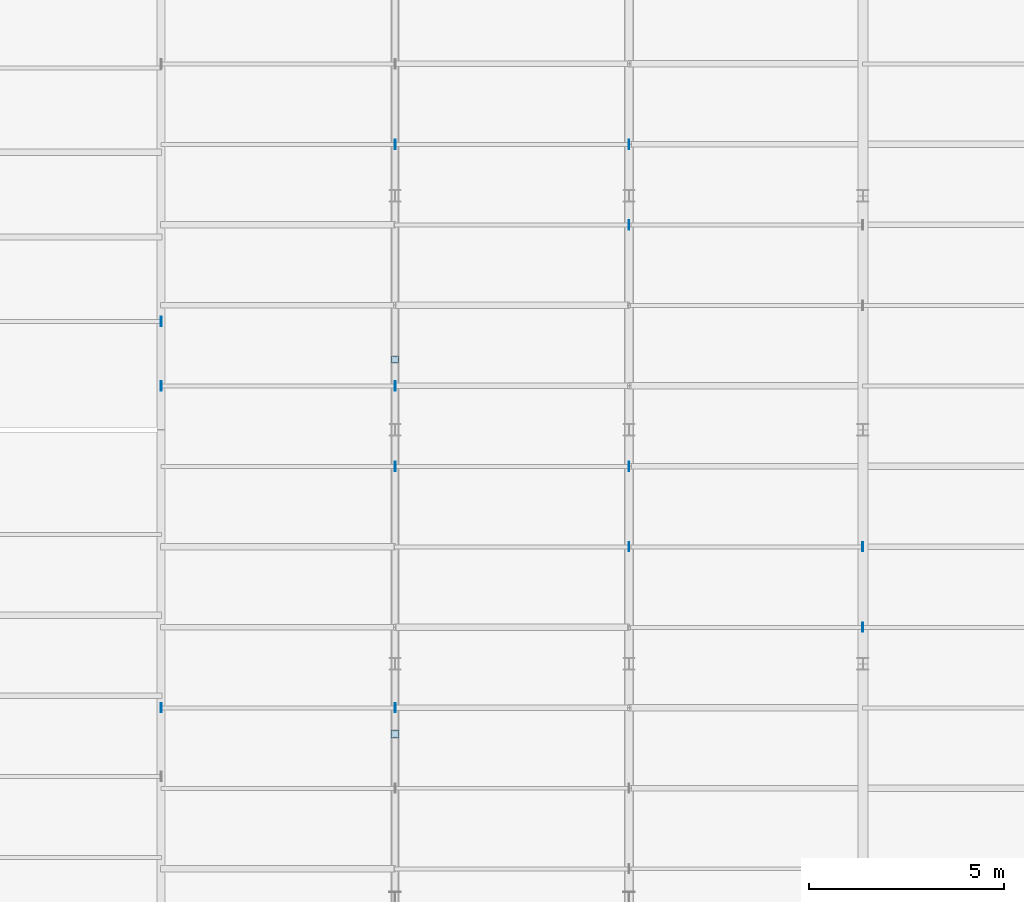
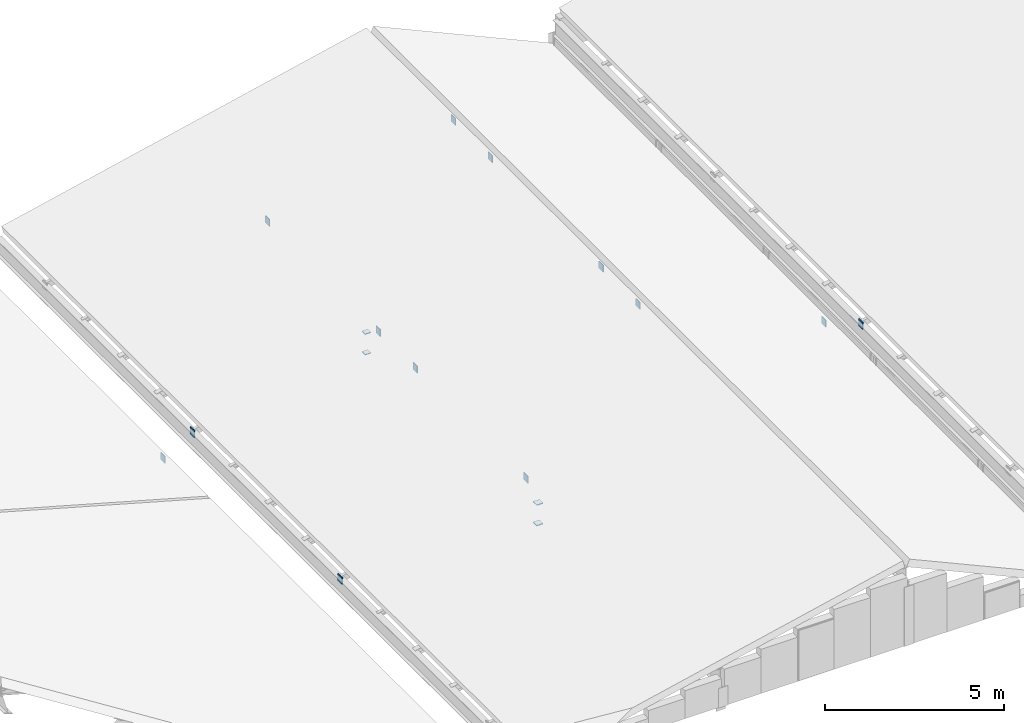
# One storey, part 52 of 74: 17 plates.
"""IFC4 building model written with IfcOpenShell, lengths in metres."""

import ifcopenshell
import ifcopenshell.guid

model = None  # the IFC model being written
_history = None  # IfcOwnerHistory: only IFC2X3 demands one
_inside = {}  # id of a spatial element -> (the spatial element, [elements in it])
_under = {}  # id of a project, library or spatial element -> (it, [spatial elements below it])
_declared = {}  # id of a project -> (the project, [libraries it declares])
_typed = {}  # id of a type object -> (the type object, [elements of that type])
_made_of = {}  # id of a material, layer set ... -> (it, [elements and type objects made of it])


def new_model(schema):
    """Start an empty IFC model of exactly this schema.

    Asked for "IFC4X3", IfcOpenShell would pick the latest addendum, in which some entities
    have other attributes; the version numbers below select the first issue.
    IFC2X3 requires an IfcOwnerHistory on every rooted entity: one is made here for all.
    """
    global model, _history
    if schema == "IFC4X3":
        model = ifcopenshell.file(schema_version=(4, 3, 0, 0))
    else:
        model = ifcopenshell.file(schema=schema)
    _inside.clear()
    _under.clear()
    _declared.clear()
    _typed.clear()
    _made_of.clear()
    _history = None
    if model.schema == "IFC2X3":
        org = make("IfcOrganization", Name="unknown")
        user = make(
            "IfcPersonAndOrganization",
            ThePerson=make("IfcPerson", FamilyName="unknown"),
            TheOrganization=org,
        )
        app = make(
            "IfcApplication",
            ApplicationDeveloper=org,
            Version="unknown",
            ApplicationFullName="unknown",
            ApplicationIdentifier="unknown",
        )
        _history = make(
            "IfcOwnerHistory",
            OwningUser=user,
            OwningApplication=app,
            ChangeAction="ADDED",
            CreationDate=0,
        )
    return model


def make(cls, **values):
    """One entity of the class cls with the attributes given. An attribute that is None is left unset."""
    return model.create_entity(
        cls, **{name: value for name, value in values.items() if value is not None}
    )


def rooted(cls, **values):
    """An entity with a GlobalId (a new one), such as an element, a storey or a relation."""
    return make(cls, GlobalId=ifcopenshell.guid.new(), OwnerHistory=_history, **values)


def si_unit(unit_type, name, prefix=None):
    """IfcSIUnit, for example si_unit("LENGTHUNIT", "METRE", prefix="MILLI")."""
    return make("IfcSIUnit", UnitType=unit_type, Prefix=prefix, Name=name)


def assignment(units):
    """IfcUnitAssignment: the units of a project."""
    return None if units is None else make("IfcUnitAssignment", Units=units)


def point(xyz):
    """IfcCartesianPoint."""
    return None if xyz is None else make("IfcCartesianPoint", Coordinates=xyz)


def direction(xyz):
    """IfcDirection."""
    return None if xyz is None else make("IfcDirection", DirectionRatios=xyz)


def frame(location, z_axis=None, x_axis=None):
    """IfcAxis2Placement3D, a coordinate frame: its origin and axes. An axis left out is left unset."""
    return make(
        "IfcAxis2Placement3D",
        Location=point(location),
        Axis=direction(z_axis),
        RefDirection=direction(x_axis),
    )


def frame_2d(location, x_axis=None):
    """IfcAxis2Placement2D, a coordinate frame in the plane: its origin and x axis."""
    return make(
        "IfcAxis2Placement2D", Location=point(location), RefDirection=direction(x_axis)
    )


def origin():
    """The frame at (0, 0, 0) with its axes left unset."""
    return frame((0.0, 0.0, 0.0))


def origin_2d():
    """The frame at (0, 0) in the plane with its x axis left unset."""
    return frame_2d((0.0, 0.0))


def place(relative_to, where):
    """IfcLocalPlacement: puts the frame where relative to a parent placement (None: the world)."""
    return make(
        "IfcLocalPlacement", PlacementRelTo=relative_to, RelativePlacement=where
    )


def context(
    kind, dimensions, precision=None, world=None, true_north=None, identifier=None
):
    """IfcGeometricRepresentationContext, for example the 3D "Model" context."""
    return make(
        "IfcGeometricRepresentationContext",
        ContextIdentifier=identifier,
        ContextType=kind,
        CoordinateSpaceDimension=dimensions,
        Precision=precision,
        WorldCoordinateSystem=world,
        TrueNorth=true_north,
    )


def subcontext(parent, identifier, kind, view, scale=None):
    """IfcGeometricRepresentationSubContext, for example "Body" below "Model"."""
    return make(
        "IfcGeometricRepresentationSubContext",
        ContextIdentifier=identifier,
        ContextType=kind,
        ParentContext=parent,
        TargetScale=scale,
        TargetView=view,
    )


def project(units=None, contexts=None):
    """IfcProject with its units and contexts."""
    return rooted(
        "IfcProject",
        Name="project",
        RepresentationContexts=contexts,
        UnitsInContext=assignment(units),
    )


def spatial(cls, under=None, at=None, **own):
    """A site, building, storey or space (cls), placed at a placement, below another one or the project."""
    s = rooted(cls, ObjectPlacement=at, **own)
    if under is not None:
        _under.setdefault(under.id(), (under, []))[1].append(s)
    return s


def profile(cls, at=None, kind="AREA", **sizes):
    """A parametric profile (cls). Its sizes go by their IFC names, for example OverallWidth=200.0."""
    return make(cls, ProfileType=kind, Position=at, **sizes)


def rectangle(**sizes):
    """IfcRectangleProfileDef."""
    return profile("IfcRectangleProfileDef", **sizes)


def extrude(swept, where, along, depth):
    """IfcExtrudedAreaSolid: the profile swept, set in the frame where, extruded along a direction by depth."""
    return make(
        "IfcExtrudedAreaSolid",
        SweptArea=swept,
        Position=where,
        ExtrudedDirection=direction(along),
        Depth=depth,
    )


def shape(context_of_items, identifier, shape_type, items):
    """IfcShapeRepresentation: the items that make up one representation, for example the "Body"."""
    return make(
        "IfcShapeRepresentation",
        ContextOfItems=context_of_items,
        RepresentationIdentifier=identifier,
        RepresentationType=shape_type,
        Items=items,
    )


def material(Name=None, Category=None):
    """IfcMaterial."""
    return make("IfcMaterial", Name=Name, Category=Category)


def layer(
    of_material, thickness, ventilated=None, Name=None, Category=None, Priority=None
):
    """IfcMaterialLayer: one layer of a wall or slab, of a material (None: an air gap)."""
    return make(
        "IfcMaterialLayer",
        Material=of_material,
        LayerThickness=thickness,
        IsVentilated=ventilated,
        Name=Name,
        Category=Category,
        Priority=Priority,
    )


def layer_set(layers, Name=None):
    """IfcMaterialLayerSet."""
    return make("IfcMaterialLayerSet", MaterialLayers=layers, LayerSetName=Name)


def made_of(thing, what):
    """Note that an element or type object is made of a material, layer set ...; save() writes the relation."""
    if what is not None:
        _made_of.setdefault(what.id(), (what, []))[1].append(thing)
    return thing


def type_object(cls, material=None, **own):
    """A type object (cls), such as IfcWallType, which elements share."""
    return made_of(rooted(cls, **own), material)


def element(
    cls,
    number,
    at=None,
    inside=None,
    cuts=None,
    type_object=None,
    material=None,
    context=None,
    identifier="Body",
    shape_type=None,
    held_by="IfcProductDefinitionShape",
    body=None,
    shapes=None,
    **own,
):
    """One element of the class cls, such as IfcWall. Its Tag is "e" and its number.

    at: its placement. inside: the storey or other place that contains it. cuts: it is an
    opening in that element (IfcRelVoidsElement). A single representation is given by context,
    identifier, shape_type and body (its items); several are given by shapes. held_by: the class
    of the entity that holds the representations. save() writes the other relations.
    """
    e = rooted(cls, Tag="e%d" % number, ObjectPlacement=at, **own)
    if body is not None:
        shapes = [shape(context, identifier, shape_type, body)]
    if shapes is not None:
        e.Representation = make(held_by, Representations=shapes)
    if inside is not None:
        _inside.setdefault(inside.id(), (inside, []))[1].append(e)
    if cuts is not None:
        rooted(
            "IfcRelVoidsElement", RelatingBuildingElement=cuts, RelatedOpeningElement=e
        )
    if type_object is not None:
        _typed.setdefault(type_object.id(), (type_object, []))[1].append(e)
    return made_of(e, material)


def aggregate(whole, parts):
    """IfcRelAggregates: a whole, such as a stair, and the parts it consists of."""
    return rooted("IfcRelAggregates", RelatingObject=whole, RelatedObjects=parts)


def save(model, path):
    """Write the relations noted so far, then the file.

    IfcRelAggregates (storeys below a building ...), IfcRelContainedInSpatialStructure (elements
    in a storey), IfcRelDefinesByType, IfcRelAssociatesMaterial and IfcRelDeclares: one each for
    every whole, place, type object, material and project.
    """
    for whole, parts in _under.values():
        aggregate(whole, parts)
    for where, things in _inside.values():
        rooted(
            "IfcRelContainedInSpatialStructure",
            RelatedElements=things,
            RelatingStructure=where,
        )
    for kind, things in _typed.values():
        rooted("IfcRelDefinesByType", RelatedObjects=things, RelatingType=kind)
    for what, things in _made_of.values():
        rooted("IfcRelAssociatesMaterial", RelatedObjects=things, RelatingMaterial=what)
    for by, libraries in _declared.values():
        rooted("IfcRelDeclares", RelatingContext=by, RelatedDefinitions=libraries)
    model.write(path)


model = new_model("IFC4")

# Units and contexts
model_context = context("Model", 3, precision=1e-05, world=origin(), true_north=direction((0.0, 1.0)))
body_context = subcontext(model_context, "Body", "Model", "MODEL_VIEW")
ifc_project = project(units=[si_unit("LENGTHUNIT", "METRE"), si_unit("AREAUNIT", "SQUARE_METRE"), si_unit("VOLUMEUNIT", "CUBIC_METRE"), si_unit("PLANEANGLEUNIT", "RADIAN"), si_unit("MASSUNIT", "GRAM", prefix="KILO")], contexts=[model_context])

# Site, building, storey
site_placement = place(None, origin())
site = spatial("IfcSite", under=ifc_project, at=site_placement, CompositionType="ELEMENT")
building_placement = place(site_placement, origin())
building = spatial("IfcBuilding", under=site, at=building_placement, Name="Siltcreek Boulevard Central Fire Station", CompositionType="ELEMENT")
storey_placement = place(building_placement, frame((0.0, 0.0, 25.199951171875)))
storey = spatial("IfcBuildingStorey", under=building, at=storey_placement, Name="RF", CompositionType="ELEMENT", Elevation=25.199951171875)

# Plates
ifc_material = material(Name="Structural steel ASTM A572 Gr50", Category="steel")
ifc_layer = layer(ifc_material, 0.02490234375, Name="Structural steel ASTM A572 Gr50")
ifc_layer_set = layer_set([ifc_layer], Name="Structural steel ASTM A572 Gr50")
plate_type = type_object("IfcPlateType", Name="PL_CAP25", PredefinedType="USERDEFINED", material=ifc_layer_set)
plate_placement = place(storey_placement, frame((66.0, 44.778076171875, -13.4267578125), z_axis=(0.0, 0.0, 1.0), x_axis=(1.0, 0.0, 0.0)))
element("IfcPlate", 1, at=plate_placement, inside=storey, type_object=plate_type, Name="Sloped roof purlin PR-0071 sealed end cap 2", ObjectType="END CAP", PredefinedType="USERDEFINED", context=body_context, shape_type="SweptSolid", body=[
    extrude(rectangle(XDim=0.02490234375, YDim=0.239990234375, at=origin_2d()), origin(), (0.0, 0.0, 1.0), 0.239990234375),
])
for number, where, z_axis, x_axis, name in (
    (2, (72.0, 34.199951171875, -11.224365234375), (0.0, 0.0, 1.0), (1.0, 0.0, 0.0), "Roof truss web strut BR-044 sealed end cap 1"),
    (3, (72.0, 34.199951171875, -10.5234375), (0.0, 0.0, 1.0), (1.0, 0.0, 0.0), "Roof truss web strut BR-044 sealed end cap 2"),
):
    element("IfcPlate", number, at=place(storey_placement, frame(where, z_axis=z_axis, x_axis=x_axis)), inside=storey, type_object=plate_type, Name=name, ObjectType="END CAP", PredefinedType="USERDEFINED", context=body_context, shape_type="SweptSolid", body=[
        extrude(rectangle(XDim=0.208251953125, YDim=0.208251953125, at=origin_2d()), origin(), (0.0, 0.0, 1.0), 0.02490234375),
    ])
for number, where, z_axis, x_axis, name in (
    (4, (72.0, 43.800048828125, -11.224365234375), (0.0, 0.0, 1.0), (1.0, 0.0, 0.0), "Roof truss web strut BR-045 sealed end cap 1"),
    (5, (72.0, 43.800048828125, -10.5234375), (0.0, 0.0, 1.0), (1.0, 0.0, 0.0), "Roof truss web strut BR-045 sealed end cap 2"),
):
    element("IfcPlate", number, at=place(storey_placement, frame(where, z_axis=z_axis, x_axis=x_axis)), inside=storey, type_object=plate_type, Name=name, ObjectType="END CAP", PredefinedType="USERDEFINED", context=body_context, shape_type="SweptSolid", body=[
        extrude(rectangle(XDim=0.1796875, YDim=0.1796875, at=origin_2d()), origin(), (0.0, 0.0, 1.0), 0.02490234375),
    ])
for number, where, z_axis, x_axis, name in (
    (6, (65.999755859375, 34.871337890625, -11.54296875), (0.0, 0.0, 1.0), (1.0, 0.0, 0.0), "Sloped roof purlin PR-0079 sealed end cap 1"),
    (7, (72.000244140625, 34.871337890625, -10.19287109375), (0.0, 0.0, 1.0), (1.0, 0.0, 0.0), "Sloped roof purlin PR-0079 sealed end cap 2"),
    (8, (65.999755859375, 43.128662109375, -11.54296875), (0.0, 0.0, 1.0), (1.0, 0.0, 0.0), "Sloped roof purlin PR-0083 sealed end cap 1"),
    (9, (72.000244140625, 43.128662109375, -10.19287109375), (0.0, 0.0, 1.0), (1.0, 0.0, 0.0), "Sloped roof purlin PR-0083 sealed end cap 2"),
    (10, (71.999755859375, 41.064208984375, -10.19287109375), (0.0, 0.0, 1.0), (1.0, 0.0, 0.0), "Sloped roof purlin PR-0095 sealed end cap 1"),
    (11, (78.000244140625, 41.064208984375, -8.8427734375), (0.0, 0.0, 1.0), (1.0, 0.0, 0.0), "Sloped roof purlin PR-0095 sealed end cap 2"),
    (12, (71.999755859375, 49.3212890625, -10.19287109375), (0.0, 0.0, 1.0), (1.0, 0.0, 0.0), "Sloped roof purlin PR-0099 sealed end cap 1"),
    (13, (78.000244140625, 49.3212890625, -8.8427734375), (0.0, 0.0, 1.0), (1.0, 0.0, 0.0), "Sloped roof purlin PR-0099 sealed end cap 2"),
    (14, (78.00048828125, 39.0, -8.8681640625), (0.0, 0.0, 1.0), (1.0, 0.0, 0.0), "Sloped roof purlin PR-0107 sealed end cap 1"),
    (15, (83.99951171875, 39.0, -11.5673828125), (0.0, 0.0, 1.0), (1.0, 0.0, 0.0), "Sloped roof purlin PR-0107 sealed end cap 2"),
    (16, (78.00048828125, 47.257080078125, -8.8681640625), (0.0, 0.0, 1.0), (1.0, 0.0, 0.0), "Sloped roof purlin PR-0111 sealed end cap 1"),
    (17, (84.0, 36.935791015625, -10.39697265625), (0.0, 0.0, 1.0), (1.0, 0.0, 0.0), "Sloped roof purlin PR-0119 sealed end cap 1"),
):
    element("IfcPlate", number, at=place(storey_placement, frame(where, z_axis=z_axis, x_axis=x_axis)), inside=storey, type_object=plate_type, Name=name, ObjectType="END CAP", PredefinedType="USERDEFINED", context=body_context, shape_type="SweptSolid", body=[
        extrude(rectangle(XDim=0.02490234375, YDim=0.239990234375, at=origin_2d()), origin(), (0.0, 0.0, 1.0), 0.239990234375),
    ])

save(model, "model.ifc")
